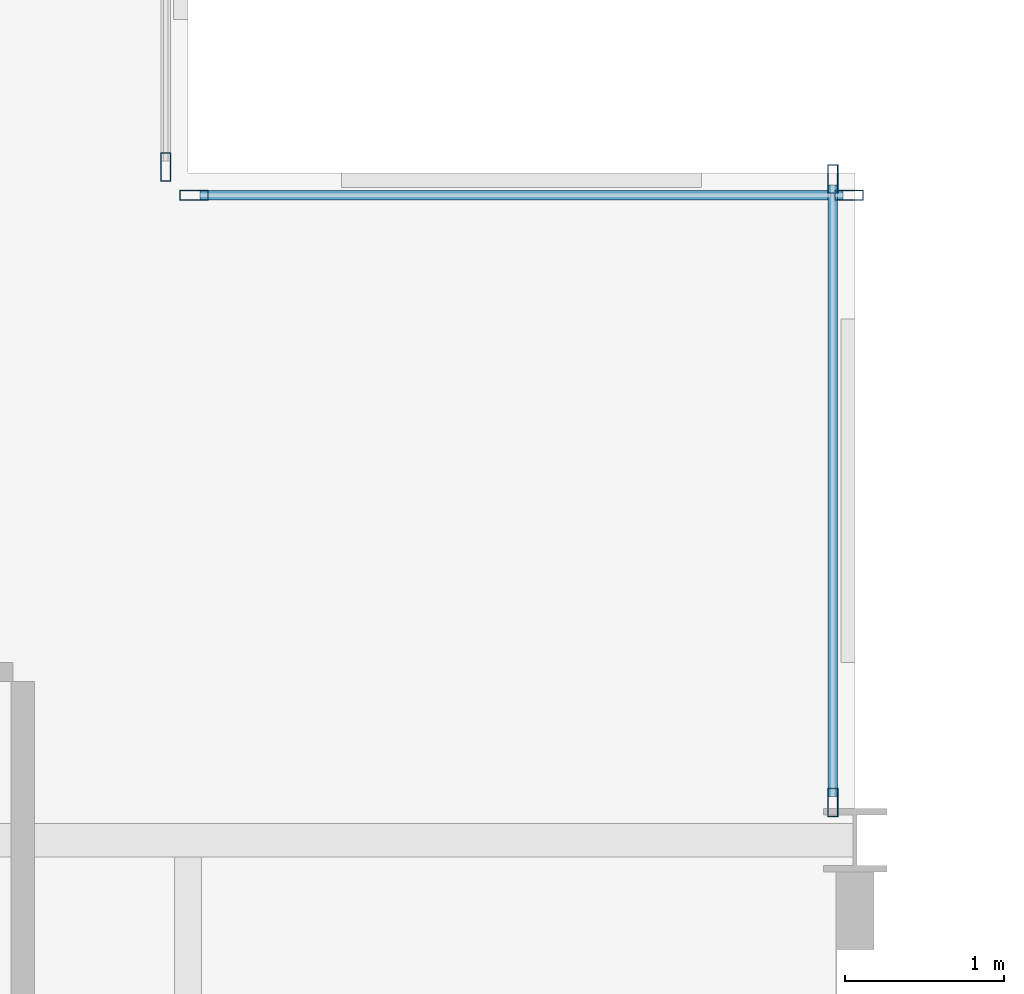
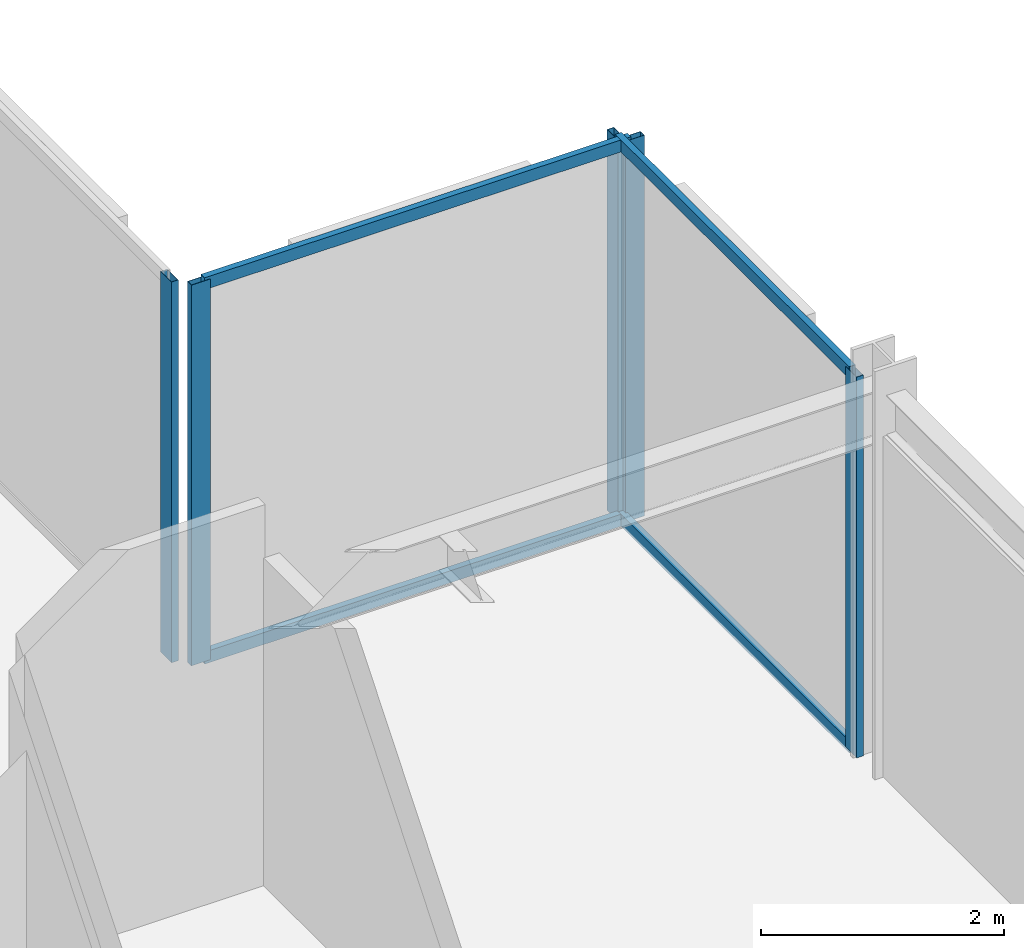
# One storey, part 20 of 29: 9 members, 3 elements without a shape of their own.
"""IFC4 building model written with IfcOpenShell, lengths in metres."""

from ifc_helpers import new_model, si_unit, direction, frame, origin, origin_2d, place, context, subcontext, project, spatial, hollow_rectangle, extrude, material, layer, layer_set, material_profile, profile_set, type_object, element, aggregate, save


model = new_model("IFC4")

# Units and contexts
model_context = context("Model", 3, precision=1e-05, world=origin(), true_north=direction((0.0, 1.0)))
body_context = subcontext(model_context, "Body", "Model", "MODEL_VIEW")
ifc_project = project(units=[si_unit("LENGTHUNIT", "METRE"), si_unit("AREAUNIT", "SQUARE_METRE"), si_unit("VOLUMEUNIT", "CUBIC_METRE"), si_unit("PLANEANGLEUNIT", "RADIAN"), si_unit("MASSUNIT", "GRAM", prefix="KILO")], contexts=[model_context])

# Site, building, storey
site_placement = place(None, origin())
site = spatial("IfcSite", under=ifc_project, at=site_placement, CompositionType="ELEMENT")
building_placement = place(site_placement, origin())
building = spatial("IfcBuilding", under=site, at=building_placement, Name="Nerrivon Quay Data Exchange", CompositionType="ELEMENT")
storey_placement = place(building_placement, frame((0.0, 0.0, 133.60009765625)))
storey = spatial("IfcBuildingStorey", under=building, at=storey_placement, Name="L31", CompositionType="ELEMENT", Elevation=133.60009765625)

# Curtain wall, member
ifc_material = material(Name="Anodised aluminium 6063-T6", Category="aluminium")
ifc_layer = layer(ifc_material, 0.2099609375)
ifc_layer_set = layer_set([ifc_layer], Name="Anodised aluminium 6063-T6")
curtain_wall_type = type_object("IfcCurtainWallType", Name="CW-SYS-02", PredefinedType="NOTDEFINED", material=ifc_layer_set)
curtain_wall_1_placement = place(storey_placement, origin())
curtain_wall_1 = element("IfcCurtainWall", 1, at=curtain_wall_1_placement, inside=storey, type_object=curtain_wall_type, Name="L31 Unitised Curtain Wall 21", PredefinedType="NOTDEFINED")
ifc_material_profile_1 = material_profile(ifc_material, hollow_rectangle(XDim=0.06494140625, YDim=0.179931640625, WallThickness=0.00341796875, at=origin_2d()), Name="ALU-MULL-180x65")
ifc_profile_set_1 = profile_set([ifc_material_profile_1], Name="Anodised aluminium 6063-T6")
member_type_1 = type_object("IfcMemberType", Name="CWM-180x65", PredefinedType="MULLION", material=ifc_profile_set_1)
member_1_placement = place(storey_placement, frame((20.860107421875, 46.237548828125, 0.0), z_axis=(0.0, 0.0, 1.0), x_axis=(1.0, 0.0, 0.0)))
member_1 = element("IfcMember", 2, at=member_1_placement, type_object=member_type_1, Name="CW02 mullion 2", PredefinedType="MULLION", context=body_context, shape_type="SweptSolid", body=[
    extrude(hollow_rectangle(XDim=0.06494140625, YDim=0.179931640625, WallThickness=0.00341796875, at=origin_2d()), origin(), (0.0, 0.0, 1.0), 3.824951171875),
])
aggregate(curtain_wall_1, [member_1])

# Curtain wall, members
curtain_wall_2_placement = place(storey_placement, origin())
curtain_wall_2 = element("IfcCurtainWall", 3, at=curtain_wall_2_placement, inside=storey, type_object=curtain_wall_type, Name="L31 Unitised Curtain Wall 22", PredefinedType="NOTDEFINED")
member_2_placement = place(storey_placement, frame((21.03759765625, 46.06005859375, 0.0), z_axis=(0.0, 0.0, 1.0), x_axis=(0.0, 1.0, 0.0)))
member_2 = element("IfcMember", 4, at=member_2_placement, type_object=member_type_1, Name="CW02 mullion 1", PredefinedType="MULLION", context=body_context, shape_type="SweptSolid", body=[
    extrude(hollow_rectangle(XDim=0.06494140625, YDim=0.179931640625, WallThickness=0.00341796875, at=origin_2d()), origin(), (0.0, 0.0, 1.0), 3.824951171875),
])
member_3_placement = place(storey_placement, frame((25.16259765625, 46.06005859375, 0.0), z_axis=(0.0, 0.0, 1.0), x_axis=(0.0, 1.0, 0.0)))
member_3 = element("IfcMember", 5, at=member_3_placement, type_object=member_type_1, Name="CW02 mullion 2", PredefinedType="MULLION", context=body_context, shape_type="SweptSolid", body=[
    extrude(hollow_rectangle(XDim=0.06494140625, YDim=0.179931640625, WallThickness=0.00341796875, at=origin_2d()), origin(), (0.0, 0.0, 1.0), 3.824951171875),
])

curtain_wall_3_placement = place(storey_placement, origin())
curtain_wall_3 = element("IfcCurtainWall", 6, at=curtain_wall_3_placement, inside=storey, type_object=curtain_wall_type, Name="L31 Unitised Curtain Wall 23", PredefinedType="NOTDEFINED")
member_4_placement = place(storey_placement, frame((25.06005859375, 46.16259765625, 0.0), z_axis=(0.0, 0.0, 1.0), x_axis=(1.0, 0.0, 0.0)))
member_4 = element("IfcMember", 7, at=member_4_placement, type_object=member_type_1, Name="CW02 mullion 1", PredefinedType="MULLION", context=body_context, shape_type="SweptSolid", body=[
    extrude(hollow_rectangle(XDim=0.06494140625, YDim=0.179931640625, WallThickness=0.00341796875, at=origin_2d()), origin(), (0.0, 0.0, 1.0), 3.824951171875),
])
member_5_placement = place(storey_placement, frame((25.06005859375, 42.237548828125, 0.0), z_axis=(0.0, 0.0, 1.0), x_axis=(1.0, 0.0, 0.0)))
member_5 = element("IfcMember", 8, at=member_5_placement, type_object=member_type_1, Name="CW02 mullion 2", PredefinedType="MULLION", context=body_context, shape_type="SweptSolid", body=[
    extrude(hollow_rectangle(XDim=0.06494140625, YDim=0.179931640625, WallThickness=0.00341796875, at=origin_2d()), origin(), (0.0, 0.0, 1.0), 3.824951171875),
])

# Member
ifc_material_profile_2 = material_profile(ifc_material, hollow_rectangle(XDim=0.06005859375, YDim=0.1201171875, WallThickness=0.003173828125, at=origin_2d()), Name="ALU-TRAN-120x60")
ifc_profile_set_2 = profile_set([ifc_material_profile_2], Name="Anodised aluminium 6063-T6")
member_type_2 = type_object("IfcMemberType", Name="CWT-120x60", PredefinedType="USERDEFINED", material=ifc_profile_set_2)
member_6_placement = place(storey_placement, frame((21.074951171875, 46.06005859375, 0.032470703125), z_axis=(1.0, 0.0, 0.0), x_axis=(0.0, 1.0, 0.0)))
member_6 = element("IfcMember", 9, at=member_6_placement, type_object=member_type_2, Name="CW02 transom 1.1", ObjectType="TRANSOM", PredefinedType="USERDEFINED", context=body_context, shape_type="SweptSolid", body=[
    extrude(hollow_rectangle(XDim=0.06005859375, YDim=0.1201171875, WallThickness=0.003173828125, at=origin_2d()), origin(), (0.0, 0.0, 1.0), 4.050048828125),
])

member_7_placement = place(storey_placement, frame((21.074951171875, 46.06005859375, 3.79248046875), z_axis=(1.0, 0.0, 0.0), x_axis=(0.0, 1.0, 0.0)))
member_7 = element("IfcMember", 10, at=member_7_placement, type_object=member_type_2, Name="CW02 transom 1.2", ObjectType="TRANSOM", PredefinedType="USERDEFINED", context=body_context, shape_type="SweptSolid", body=[
    extrude(hollow_rectangle(XDim=0.06005859375, YDim=0.1201171875, WallThickness=0.003173828125, at=origin_2d()), origin(), (0.0, 0.0, 1.0), 4.050048828125),
])

aggregate(curtain_wall_2, [member_2, member_3, member_6, member_7])

member_8_placement = place(storey_placement, frame((25.06005859375, 46.125, 0.032470703125), z_axis=(0.0, -1.0, 0.0), x_axis=(1.0, 0.0, 0.0)))
member_8 = element("IfcMember", 11, at=member_8_placement, type_object=member_type_2, Name="CW02 transom 1.1", ObjectType="TRANSOM", PredefinedType="USERDEFINED", context=body_context, shape_type="SweptSolid", body=[
    extrude(hollow_rectangle(XDim=0.06005859375, YDim=0.1201171875, WallThickness=0.003173828125, at=origin_2d()), origin(), (0.0, 0.0, 1.0), 3.85009765625),
])

member_9_placement = place(storey_placement, frame((25.06005859375, 46.125, 3.79248046875), z_axis=(0.0, -1.0, 0.0), x_axis=(1.0, 0.0, 0.0)))
member_9 = element("IfcMember", 12, at=member_9_placement, type_object=member_type_2, Name="CW02 transom 1.2", ObjectType="TRANSOM", PredefinedType="USERDEFINED", context=body_context, shape_type="SweptSolid", body=[
    extrude(hollow_rectangle(XDim=0.06005859375, YDim=0.1201171875, WallThickness=0.003173828125, at=origin_2d()), origin(), (0.0, 0.0, 1.0), 3.85009765625),
])

aggregate(curtain_wall_3, [member_4, member_5, member_8, member_9])

save(model, "model.ifc")
